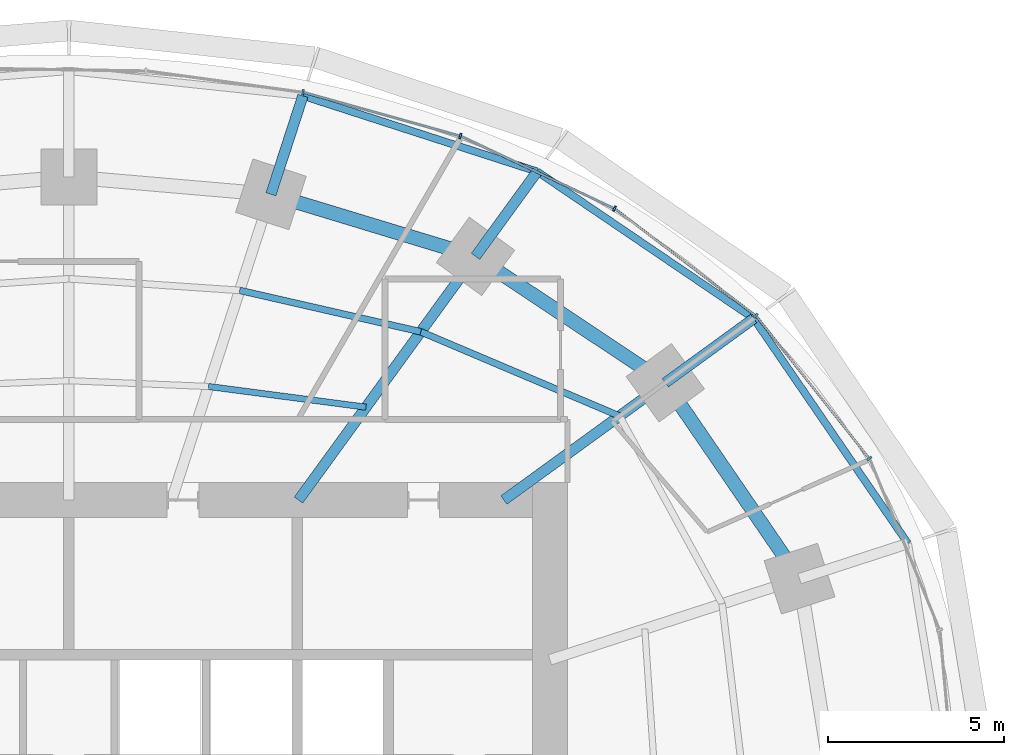
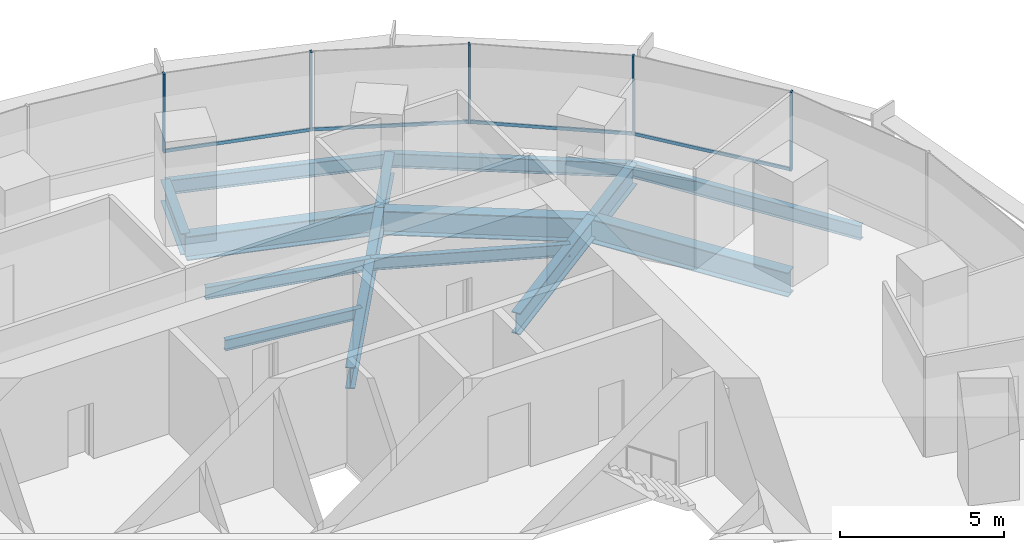
# One storey, part 8 of 14: 14 beams, 9 members, 2 elements without a shape of their own.
"""IFC4 building model written with IfcOpenShell, lengths in metres."""

from ifc_helpers import new_model, si_unit, direction, frame, origin, origin_2d, place, context, subcontext, project, spatial, rectangle, i_section, extrude, material, material_profile, profile_set, type_object, element, aggregate, save


model = new_model("IFC4")

# Units and contexts
model_context = context("Model", 3, precision=1e-05, world=origin(), true_north=direction((0.0, 1.0)))
body_context = subcontext(model_context, "Body", "Model", "MODEL_VIEW")
ifc_project = project(units=[si_unit("LENGTHUNIT", "METRE"), si_unit("AREAUNIT", "SQUARE_METRE"), si_unit("VOLUMEUNIT", "CUBIC_METRE"), si_unit("PLANEANGLEUNIT", "RADIAN"), si_unit("MASSUNIT", "GRAM", prefix="KILO")], contexts=[model_context])

# Site, building, storey
site_placement = place(None, origin())
site = spatial("IfcSite", under=ifc_project, at=site_placement, CompositionType="ELEMENT")
building_placement = place(site_placement, origin())
building = spatial("IfcBuilding", under=site, at=building_placement, Name="Marramba Exchange Tower", CompositionType="ELEMENT")
storey_placement = place(building_placement, frame((0.0, 0.0, 147.0)))
storey = spatial("IfcBuildingStorey", under=building, at=storey_placement, Name="L35", CompositionType="ELEMENT", Elevation=147.0)

# Beams
ifc_material_1 = material(Name="Steel AS/NZS 3679.2 grade 300", Category="steel")
ifc_material_profile_1 = material_profile(ifc_material_1, i_section(OverallWidth=0.300048828125, OverallDepth=0.800048828125, WebThickness=0.013916015625, FlangeThickness=0.031982421875, at=origin_2d()), Name="800WB192")
ifc_profile_set_1 = profile_set([ifc_material_profile_1], Name="Steel AS/NZS 3679.2 grade 300")
beam_type_1 = type_object("IfcBeamType", Name="Cantilever girder 800WB192", PredefinedType="BEAM", material=ifc_profile_set_1)
beam_1_placement = place(storey_placement, frame((16.98583984375, 12.3408203125, -0.56005859375), z_axis=(0.809013970709, 0.58778941399, 0.0), x_axis=(-0.58778941399, 0.809013970709, 0.0)))
element("IfcBeam", 1, at=beam_1_placement, inside=storey, type_object=beam_type_1, Name="Cantilever girder L35 TC03", PredefinedType="BEAM", context=body_context, shape_type="SweptSolid", body=[
    extrude(i_section(OverallWidth=0.300048828125, OverallDepth=0.800048828125, WebThickness=0.013916015625, FlangeThickness=0.031982421875, at=origin_2d()), origin(), (0.0, 0.0, 1.0), 3.1142578125),
])
beam_2_placement = place(storey_placement, frame((11.581298828125, 15.9404296875, -0.56005859375), z_axis=(0.587821738214, 0.808990484544, 0.0), x_axis=(-0.808990484544, 0.587821738214, 0.0)))
element("IfcBeam", 2, at=beam_2_placement, inside=storey, type_object=beam_type_1, Name="Cantilever girder L35 TC04", PredefinedType="BEAM", context=body_context, shape_type="SweptSolid", body=[
    extrude(i_section(OverallWidth=0.300048828125, OverallDepth=0.800048828125, WebThickness=0.013916015625, FlangeThickness=0.031982421875, at=origin_2d()), origin(), (0.0, 0.0, 1.0), 2.987060546875),
])
beam_3_placement = place(storey_placement, frame((5.75390625, 17.70849609375, -0.56005859375), z_axis=(0.309018704887, 0.951055960514, 0.0), x_axis=(-0.951055960514, 0.309018704887, 0.0)))
element("IfcBeam", 3, at=beam_3_placement, inside=storey, type_object=beam_type_1, Name="Cantilever girder L35 TC05", PredefinedType="BEAM", context=body_context, shape_type="SweptSolid", body=[
    extrude(i_section(OverallWidth=0.300048828125, OverallDepth=0.800048828125, WebThickness=0.013916015625, FlangeThickness=0.031982421875, at=origin_2d()), origin(), (0.0, 0.0, 1.0), 2.949951171875),
])
ifc_material_2 = material(Name="Steel AS/NZS 3679.1 grade 300", Category="steel")
ifc_material_profile_2 = material_profile(ifc_material_2, i_section(OverallWidth=0.177978515625, OverallDepth=0.406005859375, WebThickness=0.0078125, FlangeThickness=0.0126953125, FilletRadius=0.011474609375, at=origin_2d()), Name="410UB59.7")
ifc_profile_set_2 = profile_set([ifc_material_profile_2], Name="Steel AS/NZS 3679.1 grade 300")
beam_type_2 = type_object("IfcBeamType", Name="Floor joist 410UB59.7", PredefinedType="JOIST", material=ifc_profile_set_2)
beam_4_placement = place(storey_placement, frame((8.4619140625, 11.646728515625, -0.363037109375), z_axis=(-0.991480538255, 0.130254912618, 0.0), x_axis=(-0.130254912618, -0.991480538255, 0.0)))
element("IfcBeam", 4, at=beam_4_placement, inside=storey, type_object=beam_type_2, Name="Joist L35 bay 04 row 1", PredefinedType="JOIST", context=body_context, shape_type="SweptSolid", body=[
    extrude(i_section(OverallWidth=0.177978515625, OverallDepth=0.406005859375, WebThickness=0.0078125, FlangeThickness=0.0126953125, FilletRadius=0.011474609375, at=origin_2d()), origin(), (0.0, 0.0, 1.0), 4.524658203125),
])
ifc_material_profile_3 = material_profile(ifc_material_2, i_section(OverallWidth=0.18994140625, OverallDepth=0.4541015625, WebThickness=0.008544921875, FlangeThickness=0.0126953125, FilletRadius=0.011474609375, at=origin_2d()), Name="460UB67.1")
ifc_profile_set_3 = profile_set([ifc_material_profile_3], Name="Steel AS/NZS 3679.1 grade 300")
beam_type_3 = type_object("IfcBeamType", Name="Floor joist 460UB67.1", PredefinedType="JOIST", material=ifc_profile_set_3)
beam_5_placement = place(storey_placement, frame((15.682373046875, 11.393798828125, -0.386962890625), z_axis=(-0.920674336375, 0.390331610738, 0.0), x_axis=(-0.390331610738, -0.920674336375, 0.0)))
element("IfcBeam", 5, at=beam_5_placement, inside=storey, type_object=beam_type_3, Name="Joist L35 bay 03 row 2", PredefinedType="JOIST", context=body_context, shape_type="SweptSolid", body=[
    extrude(i_section(OverallWidth=0.18994140625, OverallDepth=0.4541015625, WebThickness=0.008544921875, FlangeThickness=0.0126953125, FilletRadius=0.011474609375, at=origin_2d()), origin(), (0.0, 0.0, 1.0), 6.1484375),
])
beam_6_placement = place(storey_placement, frame((10.021728515625, 13.793701171875, -0.386962890625), z_axis=(-0.974859652292, 0.222819788916, 0.0), x_axis=(-0.222819788916, -0.974859652292, 0.0)))
element("IfcBeam", 6, at=beam_6_placement, inside=storey, type_object=beam_type_3, Name="Joist L35 bay 04 row 2", PredefinedType="JOIST", context=body_context, shape_type="SweptSolid", body=[
    extrude(i_section(OverallWidth=0.18994140625, OverallDepth=0.4541015625, WebThickness=0.008544921875, FlangeThickness=0.0126953125, FilletRadius=0.011474609375, at=origin_2d()), origin(), (0.0, 0.0, 1.0), 5.2900390625),
])

# Curtain wall, members
ifc_material_3 = material(Name="Aluminium framing, bronze anodised", Category="aluminium")
curtain_wall_type = type_object("IfcCurtainWallType", Name="Office ribbon curtain wall", PredefinedType="USERDEFINED", material=ifc_material_3)
curtain_wall_1_placement = place(storey_placement, origin())
curtain_wall_1 = element("IfcCurtainWall", 7, at=curtain_wall_1_placement, inside=storey, type_object=curtain_wall_type, Name="Curtain wall CW4 L35 F01-F05", ObjectType="RIBBON CURTAIN WALL", PredefinedType="USERDEFINED")
ifc_material_4 = material(Name="Aluminium mullion, bronze anodised", Category="aluminium")
ifc_material_profile_4 = material_profile(ifc_material_4, rectangle(XDim=0.159912109375, YDim=0.06005859375, at=origin_2d()), Name="CW4 mullion 60x160")
ifc_profile_set_4 = profile_set([ifc_material_profile_4], Name="Aluminium mullion, bronze anodised")
member_type_1 = type_object("IfcMemberType", Name="Office ribbon curtain wall mullion", PredefinedType="MULLION", material=ifc_profile_set_4)
member_1_placement = place(storey_placement, frame((22.796630859375, 10.181640625, 0.800048828125), z_axis=(0.0, 0.0, 1.0), x_axis=(-0.783563266703, -0.621312004611, 0.0)))
member_1 = element("IfcMember", 8, at=member_1_placement, type_object=member_type_1, Name="CW4 mullion 1", PredefinedType="MULLION", context=body_context, shape_type="SweptSolid", body=[
    extrude(rectangle(XDim=0.159912109375, YDim=0.06005859375, at=origin_2d()), origin(), (0.0, 0.0, 1.0), 2.93994140625),
])
member_2_placement = place(storey_placement, frame((19.5625, 14.24853515625, 0.800048828125), z_axis=(0.0, 0.0, 1.0), x_axis=(-0.60533377223, -0.795971748366, 0.0)))
member_2 = element("IfcMember", 9, at=member_2_placement, type_object=member_type_1, Name="CW4 mullion 1", PredefinedType="MULLION", context=body_context, shape_type="SweptSolid", body=[
    extrude(rectangle(XDim=0.159912109375, YDim=0.06005859375, at=origin_2d()), origin(), (0.0, 0.0, 1.0), 2.93994140625),
])
member_3_placement = place(storey_placement, frame((15.538818359375, 17.300537109375, 0.800048828125), z_axis=(0.0, 0.0, 1.0), x_axis=(-0.426678995157, -0.904403137485, 0.0)))
member_3 = element("IfcMember", 10, at=member_3_placement, type_object=member_type_1, Name="CW4 mullion 1", PredefinedType="MULLION", context=body_context, shape_type="SweptSolid", body=[
    extrude(rectangle(XDim=0.159912109375, YDim=0.06005859375, at=origin_2d()), origin(), (0.0, 0.0, 1.0), 2.93994140625),
])

curtain_wall_2_placement = place(storey_placement, origin())
curtain_wall_2 = element("IfcCurtainWall", 11, at=curtain_wall_2_placement, inside=storey, type_object=curtain_wall_type, Name="Curtain wall CW4 L35 F06-F10", ObjectType="RIBBON CURTAIN WALL", PredefinedType="USERDEFINED")
member_4_placement = place(storey_placement, frame((11.147705078125, 19.366455078125, 0.800048828125), z_axis=(0.0, 0.0, 1.0), x_axis=(-0.268865090816, -0.963177845956, 0.0)))
member_4 = element("IfcMember", 12, at=member_4_placement, type_object=member_type_1, Name="CW4 mullion 1", PredefinedType="MULLION", context=body_context, shape_type="SweptSolid", body=[
    extrude(rectangle(XDim=0.159912109375, YDim=0.06005859375, at=origin_2d()), origin(), (0.0, 0.0, 1.0), 2.93994140625),
])
member_5_placement = place(storey_placement, frame((6.66650390625, 20.61328125, 0.800048828125), z_axis=(0.0, 0.0, 1.0), x_axis=(-0.135785837319, -0.990738212841, 0.0)))
member_5 = element("IfcMember", 13, at=member_5_placement, type_object=member_type_1, Name="CW4 mullion 1", PredefinedType="MULLION", context=body_context, shape_type="SweptSolid", body=[
    extrude(rectangle(XDim=0.159912109375, YDim=0.06005859375, at=origin_2d()), origin(), (0.0, 0.0, 1.0), 2.93994140625),
])

# Member
ifc_material_5 = material(Name="Aluminium transom, bronze anodised", Category="aluminium")
ifc_material_profile_5 = material_profile(ifc_material_5, rectangle(XDim=0.06005859375, YDim=0.1201171875, at=origin_2d()), Name="CW4 transom 60x120")
ifc_profile_set_5 = profile_set([ifc_material_profile_5], Name="Aluminium transom, bronze anodised")
member_type_2 = type_object("IfcMemberType", Name="Office ribbon curtain wall transom", PredefinedType="USERDEFINED", material=ifc_profile_set_5)
member_6_placement = place(storey_placement, frame((22.778076171875, 10.205078125, 0.830078125), z_axis=(-0.621339379472, 0.783541559534, 0.0), x_axis=(-0.783541559534, -0.621339379472, 0.0)))
member_6 = element("IfcMember", 14, at=member_6_placement, type_object=member_type_2, Name="CW4 sill transom", ObjectType="TRANSOM", PredefinedType="USERDEFINED", context=body_context, shape_type="SweptSolid", body=[
    extrude(rectangle(XDim=0.06005859375, YDim=0.1201171875, at=origin_2d()), origin(), (0.0, 0.0, 1.0), 5.13720703125),
])

member_7_placement = place(storey_placement, frame((19.53857421875, 14.2666015625, 0.830078125), z_axis=(-0.7959906025, 0.605308979556, 0.0), x_axis=(-0.605308979556, -0.7959906025, 0.0)))
member_7 = element("IfcMember", 15, at=member_7_placement, type_object=member_type_2, Name="CW4 sill transom", ObjectType="TRANSOM", PredefinedType="USERDEFINED", context=body_context, shape_type="SweptSolid", body=[
    extrude(rectangle(XDim=0.06005859375, YDim=0.1201171875, at=origin_2d()), origin(), (0.0, 0.0, 1.0), 4.99072265625),
])

member_8_placement = place(storey_placement, frame((15.51171875, 17.313232421875, 0.830078125), z_axis=(-0.904410826824, 0.426662696193, 0.0), x_axis=(-0.426662696193, -0.904410826824, 0.0)))
member_8 = element("IfcMember", 16, at=member_8_placement, type_object=member_type_2, Name="CW4 sill transom", ObjectType="TRANSOM", PredefinedType="USERDEFINED", context=body_context, shape_type="SweptSolid", body=[
    extrude(rectangle(XDim=0.06005859375, YDim=0.1201171875, at=origin_2d()), origin(), (0.0, 0.0, 1.0), 4.79345703125),
])

aggregate(curtain_wall_1, [member_1, member_6, member_2, member_7, member_3, member_8])

member_9_placement = place(storey_placement, frame((11.118896484375, 19.37451171875, 0.830078125), z_axis=(-0.963173567938, 0.268880415847, 0.0), x_axis=(-0.268880415847, -0.963173567938, 0.0)))
member_9 = element("IfcMember", 17, at=member_9_placement, type_object=member_type_2, Name="CW4 sill transom", ObjectType="TRANSOM", PredefinedType="USERDEFINED", context=body_context, shape_type="SweptSolid", body=[
    extrude(rectangle(XDim=0.06005859375, YDim=0.1201171875, at=origin_2d()), origin(), (0.0, 0.0, 1.0), 4.591796875),
])

aggregate(curtain_wall_2, [member_4, member_9, member_5])

# Beams
ifc_material_profile_6 = material_profile(ifc_material_1, i_section(OverallWidth=0.300048828125, OverallDepth=0.800048828125, WebThickness=0.013916015625, FlangeThickness=0.031982421875, at=origin_2d()), Name="800WB192")
ifc_profile_set_6 = profile_set([ifc_material_profile_6], Name="Steel AS/NZS 3679.2 grade 300")
beam_type_4 = type_object("IfcBeamType", Name="Radial girder 800WB192", PredefinedType="BEAM", material=ifc_profile_set_6)
beam_7_placement = place(storey_placement, frame((12.387451171875, 9.0, -0.56005859375), z_axis=(0.809025746925, 0.587773205252, 0.0), x_axis=(-0.587773205252, 0.809025746925, 0.0)))
element("IfcBeam", 18, at=beam_7_placement, inside=storey, type_object=beam_type_4, Name="Radial girder L35 TC03", PredefinedType="BEAM", context=body_context, shape_type="SweptSolid", body=[
    extrude(i_section(OverallWidth=0.300048828125, OverallDepth=0.800048828125, WebThickness=0.013916015625, FlangeThickness=0.031982421875, at=origin_2d()), origin(), (0.0, 0.0, 1.0), 5.683837890625),
])
beam_8_placement = place(storey_placement, frame((6.538818359375, 9.0, -0.56005859375), z_axis=(0.587782439969, 0.80901903764, 0.0), x_axis=(-0.80901903764, 0.587782439969, 0.0)))
element("IfcBeam", 19, at=beam_8_placement, inside=storey, type_object=beam_type_4, Name="Radial girder L35 TC04", PredefinedType="BEAM", context=body_context, shape_type="SweptSolid", body=[
    extrude(i_section(OverallWidth=0.300048828125, OverallDepth=0.800048828125, WebThickness=0.013916015625, FlangeThickness=0.031982421875, at=origin_2d()), origin(), (0.0, 0.0, 1.0), 8.578857421875),
])
ifc_material_profile_7 = material_profile(ifc_material_1, i_section(OverallWidth=0.39990234375, OverallDepth=0.89990234375, WebThickness=0.01611328125, FlangeThickness=0.031982421875, at=origin_2d()), Name="900WB282")
ifc_profile_set_7 = profile_set([ifc_material_profile_7], Name="Steel AS/NZS 3679.2 grade 300")
beam_type_5 = type_object("IfcBeamType", Name="Ring beam 900WB282", PredefinedType="SPANDREL", material=ifc_profile_set_7)
beam_9_placement = place(storey_placement, frame((20.808349609375, 6.760986328125, -0.610107421875), z_axis=(-0.56516002054, 0.824981303535, 0.0), x_axis=(-0.824981303535, -0.56516002054, 0.0)))
element("IfcBeam", 20, at=beam_9_placement, inside=storey, type_object=beam_type_5, Name="Ring beam L35 TC02-TC03", PredefinedType="SPANDREL", context=body_context, shape_type="SweptSolid", body=[
    extrude(i_section(OverallWidth=0.39990234375, OverallDepth=0.89990234375, WebThickness=0.01611328125, FlangeThickness=0.031982421875, at=origin_2d()), origin(), (0.0, 0.0, 1.0), 6.763671875),
])
beam_10_placement = place(storey_placement, frame((16.98583984375, 12.3408203125, -0.610107421875), z_axis=(-0.832293151443, 0.554335737673, 0.0), x_axis=(-0.554335737673, -0.832293151443, 0.0)))
element("IfcBeam", 21, at=beam_10_placement, inside=storey, type_object=beam_type_5, Name="Ring beam L35 TC03-TC04", PredefinedType="SPANDREL", context=body_context, shape_type="SweptSolid", body=[
    extrude(i_section(OverallWidth=0.39990234375, OverallDepth=0.89990234375, WebThickness=0.01611328125, FlangeThickness=0.031982421875, at=origin_2d()), origin(), (0.0, 0.0, 1.0), 6.49365234375),
])
beam_11_placement = place(storey_placement, frame((11.581298828125, 15.9404296875, -0.610107421875), z_axis=(-0.956924542524, 0.290336735387, 0.0), x_axis=(-0.290336735387, -0.956924542524, 0.0)))
element("IfcBeam", 22, at=beam_11_placement, inside=storey, type_object=beam_type_5, Name="Ring beam L35 TC04-TC05", PredefinedType="SPANDREL", context=body_context, shape_type="SweptSolid", body=[
    extrude(i_section(OverallWidth=0.39990234375, OverallDepth=0.89990234375, WebThickness=0.01611328125, FlangeThickness=0.031982421875, at=origin_2d()), origin(), (0.0, 0.0, 1.0), 6.089599609375),
])
ifc_material_profile_8 = material_profile(ifc_material_2, i_section(OverallWidth=0.208984375, OverallDepth=0.528076171875, WebThickness=0.009521484375, FlangeThickness=0.01318359375, FilletRadius=0.013916015625, at=origin_2d()), Name="530UB82.0")
ifc_profile_set_8 = profile_set([ifc_material_profile_8], Name="Steel AS/NZS 3679.1 grade 300")
beam_type_6 = type_object("IfcBeamType", Name="Slab edge beam 530UB82.0", PredefinedType="SPANDREL", material=ifc_profile_set_8)
beam_12_placement = place(storey_placement, frame((23.89501953125, 7.763916015625, -0.424072265625), z_axis=(-0.56517400038, 0.824971726361, 0.0), x_axis=(-0.824971726361, -0.56517400038, 0.0)))
element("IfcBeam", 23, at=beam_12_placement, inside=storey, type_object=beam_type_6, Name="Slab edge beam L35 TC02-TC03", PredefinedType="SPANDREL", context=body_context, shape_type="SweptSolid", body=[
    extrude(i_section(OverallWidth=0.208984375, OverallDepth=0.528076171875, WebThickness=0.009521484375, FlangeThickness=0.01318359375, FilletRadius=0.013916015625, at=origin_2d()), origin(), (0.0, 0.0, 1.0), 7.766845703125),
])
beam_13_placement = place(storey_placement, frame((19.50537109375, 14.17138671875, -0.424072265625), z_axis=(-0.827477404833, 0.561499015574, 0.0), x_axis=(-0.561499015574, -0.827477404833, 0.0)))
element("IfcBeam", 24, at=beam_13_placement, inside=storey, type_object=beam_type_6, Name="Slab edge beam L35 TC03-TC04", PredefinedType="SPANDREL", context=body_context, shape_type="SweptSolid", body=[
    extrude(i_section(OverallWidth=0.208984375, OverallDepth=0.528076171875, WebThickness=0.009521484375, FlangeThickness=0.01318359375, FilletRadius=0.013916015625, at=origin_2d()), origin(), (0.0, 0.0, 1.0), 7.454345703125),
])
beam_14_placement = place(storey_placement, frame((13.337158203125, 18.35693359375, -0.424072265625), z_axis=(-0.951496392577, 0.307659901373, 0.0), x_axis=(-0.307659901373, -0.951496392577, 0.0)))
element("IfcBeam", 25, at=beam_14_placement, inside=storey, type_object=beam_type_6, Name="Slab edge beam L35 TC04-TC05", PredefinedType="SPANDREL", context=body_context, shape_type="SweptSolid", body=[
    extrude(i_section(OverallWidth=0.208984375, OverallDepth=0.528076171875, WebThickness=0.009521484375, FlangeThickness=0.01318359375, FilletRadius=0.013916015625, at=origin_2d()), origin(), (0.0, 0.0, 1.0), 7.01171875),
])

save(model, "model.ifc")
